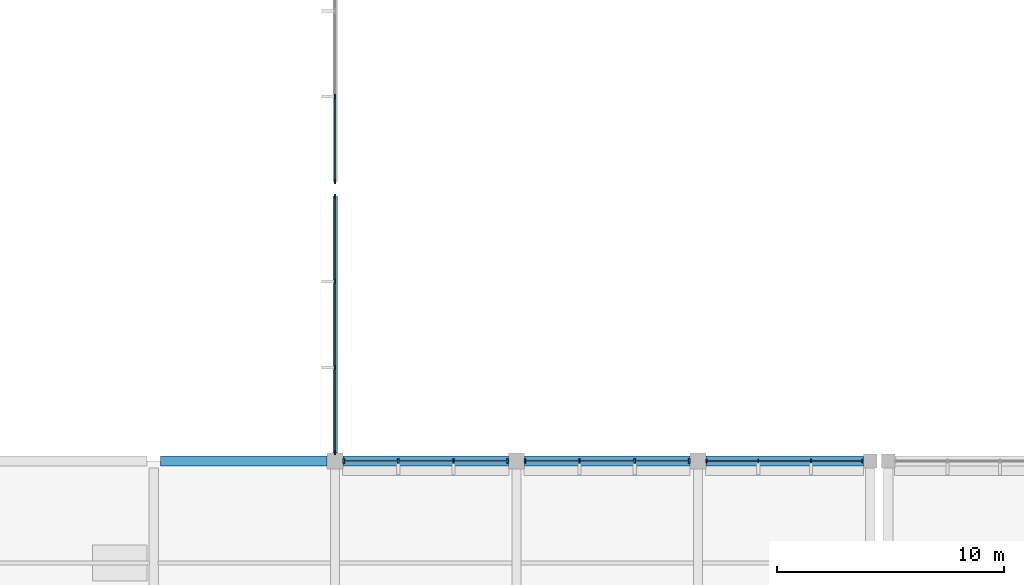
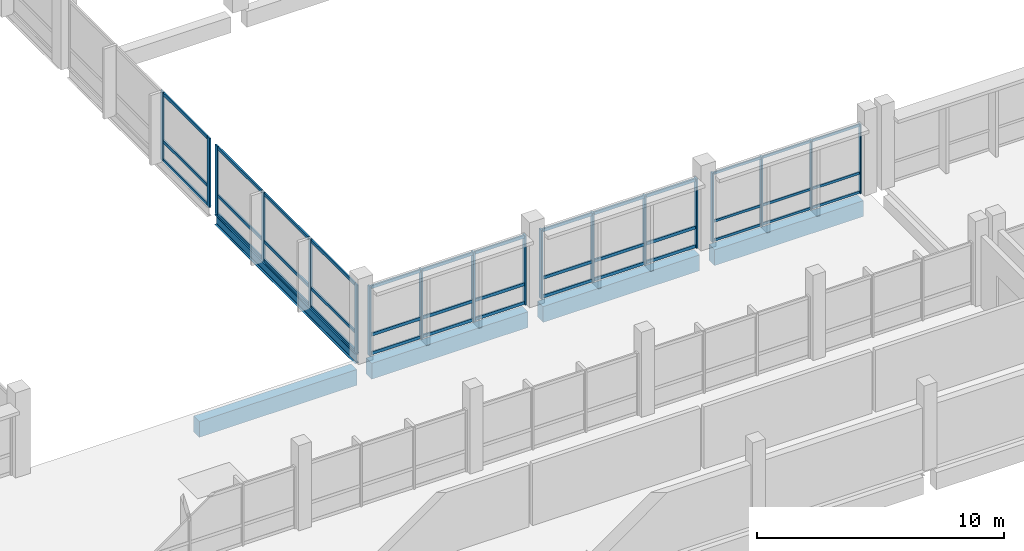
# One storey, part 16 of 70: 57 members, 5 beams, 5 elements without a shape of their own.
"""IFC4 building model written with IfcOpenShell, lengths in metres."""

from ifc_helpers import new_model, si_unit, direction, frame, origin, origin_2d, place, context, subcontext, project, spatial, rectangle, i_section, extrude, material, material_profile, profile_set, type_object, element, aggregate, save


model = new_model("IFC4")

# Units and contexts
model_context = context("Model", 3, precision=1e-05, world=origin(), true_north=direction((0.0, 1.0)))
body_context = subcontext(model_context, "Body", "Model", "MODEL_VIEW")
ifc_project = project(units=[si_unit("LENGTHUNIT", "METRE"), si_unit("AREAUNIT", "SQUARE_METRE"), si_unit("VOLUMEUNIT", "CUBIC_METRE"), si_unit("PLANEANGLEUNIT", "RADIAN"), si_unit("MASSUNIT", "GRAM", prefix="KILO"), si_unit("THERMODYNAMICTEMPERATUREUNIT", "KELVIN"), si_unit("POWERUNIT", "WATT")], contexts=[model_context])

# Site, building, storey
site_placement = place(None, origin())
site = spatial("IfcSite", under=ifc_project, at=site_placement, CompositionType="ELEMENT")
building_placement = place(site_placement, origin())
building = spatial("IfcBuilding", under=site, at=building_placement, Name="Kronsvod Quay Wholesale Market", CompositionType="ELEMENT")
storey_placement = place(building_placement, frame((0.0, 0.0, 9.0)))
storey = spatial("IfcBuildingStorey", under=building, at=storey_placement, Name="L02", CompositionType="ELEMENT", Elevation=9.0)

# Beams
ifc_material_1 = material(Name="Precast concrete C40/50", Category="concrete")
ifc_material_profile_1 = material_profile(ifc_material_1, rectangle(XDim=0.4599609375, YDim=0.780029296875, at=origin_2d()), Name="PB-03")
ifc_profile_set_1 = profile_set([ifc_material_profile_1], Name="Precast concrete C40/50")
beam_type_1 = type_object("IfcBeamType", Name="Beam_PCB460x780", PredefinedType="BEAM", material=ifc_profile_set_1)
beam_1_placement = place(storey_placement, frame((96.300048828125, 54.0, -0.699951171875), z_axis=(1.0, 0.0, 0.0), x_axis=(0.0, 1.0, 0.0)))
element("IfcBeam", 1, at=beam_1_placement, inside=storey, type_object=beam_type_1, Name="BMX-L02-960-540", PredefinedType="BEAM", context=body_context, shape_type="SweptSolid", body=[
    extrude(rectangle(XDim=0.4599609375, YDim=0.780029296875, at=origin_2d()), origin(), (0.0, 0.0, 1.0), 7.349853515625),
])
for number, where, z_axis, x_axis, name in (
    (2, (104.35009765625, 54.0, -0.64990234375), (1.0, 0.0, 0.0), (0.0, 1.0, 0.0), "BMX-L02-1040-540"),
    (3, (112.35009765625, 54.0, -0.64990234375), (1.0, 0.0, 0.0), (0.0, 1.0, 0.0), "BMX-L02-1120-540"),
):
    element("IfcBeam", number, at=place(storey_placement, frame(where, z_axis=z_axis, x_axis=x_axis)), inside=storey, type_object=beam_type_1, Name=name, PredefinedType="BEAM", context=body_context, shape_type="SweptSolid", body=[
        extrude(rectangle(XDim=0.4599609375, YDim=0.780029296875, at=origin_2d()), origin(), (0.0, 0.0, 1.0), 7.2998046875),
    ])
beam_2_placement = place(storey_placement, frame((120.35009765625, 54.0, -0.64990234375), z_axis=(1.0, 0.0, 0.0), x_axis=(0.0, 1.0, 0.0)))
element("IfcBeam", 4, at=beam_2_placement, inside=storey, type_object=beam_type_1, Name="BMX-L02-1200-540", PredefinedType="BEAM", context=body_context, shape_type="SweptSolid", body=[
    extrude(rectangle(XDim=0.4599609375, YDim=0.780029296875, at=origin_2d()), origin(), (0.0, 0.0, 1.0), 6.949951171875),
])
ifc_material_2 = material(Name="Steel S355", Category="steel")
ifc_material_profile_2 = material_profile(ifc_material_2, i_section(OverallWidth=0.198974609375, OverallDepth=0.49609375, WebThickness=0.009033203125, FlangeThickness=0.013916015625, FilletRadius=0.02001953125, at=origin_2d()), Name="50B1")
ifc_profile_set_2 = profile_set([ifc_material_profile_2], Name="Steel S355")
beam_type_2 = type_object("IfcBeamType", Name="Girder_Steel50B1", PredefinedType="T_BEAM", material=ifc_profile_set_2)
beam_3_placement = place(storey_placement, frame((104.0, 54.35009765625, -0.22802734375), z_axis=(0.0, 1.0, 0.0), x_axis=(-1.0, 0.0, 0.0)))
element("IfcBeam", 5, at=beam_3_placement, inside=storey, type_object=beam_type_2, Name="BMY-L02-1040-540", PredefinedType="T_BEAM", context=body_context, shape_type="SweptSolid", body=[
    extrude(i_section(OverallWidth=0.198974609375, OverallDepth=0.49609375, WebThickness=0.009033203125, FlangeThickness=0.013916015625, FilletRadius=0.02001953125, at=origin_2d()), origin(), (0.0, 0.0, 1.0), 11.349853515625),
])

# Curtain wall, members
ifc_material_3 = material(Name="Thermally broken aluminium and triple low-E glazing", Category="aluminium")
curtain_wall_type_1 = type_object("IfcCurtainWallType", Name="CW_Clerestory80x32", PredefinedType="NOTDEFINED", material=ifc_material_3)
curtain_wall_1_placement = place(storey_placement, origin())
curtain_wall_1 = element("IfcCurtainWall", 6, at=curtain_wall_1_placement, inside=storey, type_object=curtain_wall_type_1, Name="CWGX-L02-1200-540", PredefinedType="NOTDEFINED")
ifc_material_4 = material(Name="Anodised aluminium", Category="aluminium")
ifc_material_profile_3 = material_profile(ifc_material_4, rectangle(XDim=0.06494140625, YDim=0.159912109375, at=origin_2d()), Name="ALUM65x160")
ifc_profile_set_3 = profile_set([ifc_material_profile_3], Name="Anodised aluminium")
member_type_1 = type_object("IfcMemberType", Name="Mullion_ALU65x160", PredefinedType="MULLION", material=ifc_profile_set_3)
member_1_placement = place(storey_placement, frame((120.37744140625, 54.0, 0.0), z_axis=(0.0, 0.0, 1.0), x_axis=(1.0, 0.0, 0.0)))
member_1 = element("IfcMember", 7, at=member_1_placement, type_object=member_type_1, Name="CWGX-L02-1200-540-M1", PredefinedType="MULLION", context=body_context, shape_type="SweptSolid", body=[
    extrude(rectangle(XDim=0.06494140625, YDim=0.159912109375, at=origin_2d()), origin(), (0.0, 0.0, 1.0), 3.419921875),
])
member_2_placement = place(storey_placement, frame((122.6650390625, 54.0, 0.0), z_axis=(0.0, 0.0, 1.0), x_axis=(1.0, 0.0, 0.0)))
member_2 = element("IfcMember", 8, at=member_2_placement, type_object=member_type_1, Name="CWGX-L02-1200-540-M2", PredefinedType="MULLION", context=body_context, shape_type="SweptSolid", body=[
    extrude(rectangle(XDim=0.06494140625, YDim=0.159912109375, at=origin_2d()), origin(), (0.0, 0.0, 1.0), 3.419921875),
])
member_3_placement = place(storey_placement, frame((124.985107421875, 54.0, 0.0), z_axis=(0.0, 0.0, 1.0), x_axis=(1.0, 0.0, 0.0)))
member_3 = element("IfcMember", 9, at=member_3_placement, type_object=member_type_1, Name="CWGX-L02-1200-540-M3", PredefinedType="MULLION", context=body_context, shape_type="SweptSolid", body=[
    extrude(rectangle(XDim=0.06494140625, YDim=0.159912109375, at=origin_2d()), origin(), (0.0, 0.0, 1.0), 3.419921875),
])
member_4_placement = place(storey_placement, frame((127.2724609375, 54.0, 0.0), z_axis=(0.0, 0.0, 1.0), x_axis=(1.0, 0.0, 0.0)))
member_4 = element("IfcMember", 10, at=member_4_placement, type_object=member_type_1, Name="CWGX-L02-1200-540-M4", PredefinedType="MULLION", context=body_context, shape_type="SweptSolid", body=[
    extrude(rectangle(XDim=0.06494140625, YDim=0.159912109375, at=origin_2d()), origin(), (0.0, 0.0, 1.0), 3.419921875),
])

curtain_wall_2_placement = place(storey_placement, origin())
curtain_wall_2 = element("IfcCurtainWall", 11, at=curtain_wall_2_placement, inside=storey, type_object=curtain_wall_type_1, Name="CWGX-L02-1040-540", PredefinedType="NOTDEFINED")
ifc_material_5 = material(Name="Anodised aluminium", Category="aluminium")
ifc_material_profile_4 = material_profile(ifc_material_5, rectangle(XDim=0.074951171875, YDim=0.199951171875, at=origin_2d()), Name="ALUM75x200")
ifc_profile_set_4 = profile_set([ifc_material_profile_4], Name="Anodised aluminium")
member_type_2 = type_object("IfcMemberType", Name="Mullion_ALU75x200", PredefinedType="MULLION", material=ifc_profile_set_4)
member_5_placement = place(storey_placement, frame((104.382568359375, 54.0, 0.0), z_axis=(0.0, 0.0, 1.0), x_axis=(1.0, 0.0, 0.0)))
member_5 = element("IfcMember", 12, at=member_5_placement, type_object=member_type_2, Name="CWGX-L02-1040-540-M1", PredefinedType="MULLION", context=body_context, shape_type="SweptSolid", body=[
    extrude(rectangle(XDim=0.074951171875, YDim=0.199951171875, at=origin_2d()), origin(), (0.0, 0.0, 1.0), 3.419921875),
])
member_6_placement = place(storey_placement, frame((106.78173828125, 54.0, 0.0), z_axis=(0.0, 0.0, 1.0), x_axis=(1.0, 0.0, 0.0)))
member_6 = element("IfcMember", 13, at=member_6_placement, type_object=member_type_2, Name="CWGX-L02-1040-540-M2", PredefinedType="MULLION", context=body_context, shape_type="SweptSolid", body=[
    extrude(rectangle(XDim=0.074951171875, YDim=0.199951171875, at=origin_2d()), origin(), (0.0, 0.0, 1.0), 3.419921875),
])
member_7_placement = place(storey_placement, frame((109.21826171875, 54.0, 0.0), z_axis=(0.0, 0.0, 1.0), x_axis=(1.0, 0.0, 0.0)))
member_7 = element("IfcMember", 14, at=member_7_placement, type_object=member_type_2, Name="CWGX-L02-1040-540-M3", PredefinedType="MULLION", context=body_context, shape_type="SweptSolid", body=[
    extrude(rectangle(XDim=0.074951171875, YDim=0.199951171875, at=origin_2d()), origin(), (0.0, 0.0, 1.0), 3.419921875),
])
member_8_placement = place(storey_placement, frame((111.617431640625, 54.0, 0.0), z_axis=(0.0, 0.0, 1.0), x_axis=(1.0, 0.0, 0.0)))
member_8 = element("IfcMember", 15, at=member_8_placement, type_object=member_type_2, Name="CWGX-L02-1040-540-M4", PredefinedType="MULLION", context=body_context, shape_type="SweptSolid", body=[
    extrude(rectangle(XDim=0.074951171875, YDim=0.199951171875, at=origin_2d()), origin(), (0.0, 0.0, 1.0), 3.419921875),
])

curtain_wall_3_placement = place(storey_placement, origin())
curtain_wall_3 = element("IfcCurtainWall", 16, at=curtain_wall_3_placement, inside=storey, type_object=curtain_wall_type_1, Name="CWGX-L02-1120-540", PredefinedType="NOTDEFINED")
member_9_placement = place(storey_placement, frame((112.382568359375, 54.0, 0.0), z_axis=(0.0, 0.0, 1.0), x_axis=(1.0, 0.0, 0.0)))
member_9 = element("IfcMember", 17, at=member_9_placement, type_object=member_type_2, Name="CWGX-L02-1120-540-M1", PredefinedType="MULLION", context=body_context, shape_type="SweptSolid", body=[
    extrude(rectangle(XDim=0.074951171875, YDim=0.199951171875, at=origin_2d()), origin(), (0.0, 0.0, 1.0), 3.419921875),
])
member_10_placement = place(storey_placement, frame((114.78173828125, 54.0, 0.0), z_axis=(0.0, 0.0, 1.0), x_axis=(1.0, 0.0, 0.0)))
member_10 = element("IfcMember", 18, at=member_10_placement, type_object=member_type_2, Name="CWGX-L02-1120-540-M2", PredefinedType="MULLION", context=body_context, shape_type="SweptSolid", body=[
    extrude(rectangle(XDim=0.074951171875, YDim=0.199951171875, at=origin_2d()), origin(), (0.0, 0.0, 1.0), 3.419921875),
])
member_11_placement = place(storey_placement, frame((117.21826171875, 54.0, 0.0), z_axis=(0.0, 0.0, 1.0), x_axis=(1.0, 0.0, 0.0)))
member_11 = element("IfcMember", 19, at=member_11_placement, type_object=member_type_2, Name="CWGX-L02-1120-540-M3", PredefinedType="MULLION", context=body_context, shape_type="SweptSolid", body=[
    extrude(rectangle(XDim=0.074951171875, YDim=0.199951171875, at=origin_2d()), origin(), (0.0, 0.0, 1.0), 3.419921875),
])
member_12_placement = place(storey_placement, frame((119.617431640625, 54.0, 0.0), z_axis=(0.0, 0.0, 1.0), x_axis=(1.0, 0.0, 0.0)))
member_12 = element("IfcMember", 20, at=member_12_placement, type_object=member_type_2, Name="CWGX-L02-1120-540-M4", PredefinedType="MULLION", context=body_context, shape_type="SweptSolid", body=[
    extrude(rectangle(XDim=0.074951171875, YDim=0.199951171875, at=origin_2d()), origin(), (0.0, 0.0, 1.0), 3.419921875),
])

ifc_material_6 = material(Name="Thermally broken aluminium and triple low-E glazing", Category="aluminium")
curtain_wall_type_2 = type_object("IfcCurtainWallType", Name="CW_Court120x35", PredefinedType="NOTDEFINED", material=ifc_material_6)
curtain_wall_4_placement = place(storey_placement, origin())
curtain_wall_4 = element("IfcCurtainWall", 21, at=curtain_wall_4_placement, inside=storey, type_object=curtain_wall_type_2, Name="CWGY-L02-1040-540", PredefinedType="NOTDEFINED")
member_13_placement = place(storey_placement, frame((104.0, 65.66748046875, 0.0), z_axis=(0.0, 0.0, 1.0), x_axis=(1.0, 0.0, 0.0)))
member_13 = element("IfcMember", 22, at=member_13_placement, type_object=member_type_2, Name="CWGY-L02-1040-540-M1", PredefinedType="MULLION", context=body_context, shape_type="SweptSolid", body=[
    extrude(rectangle(XDim=0.074951171875, YDim=0.199951171875, at=origin_2d()), origin(), (0.0, 0.0, 1.0), 3.419921875),
])
member_14_placement = place(storey_placement, frame((104.0, 61.918212890625, 0.0), z_axis=(0.0, 0.0, 1.0), x_axis=(1.0, 0.0, 0.0)))
member_14 = element("IfcMember", 23, at=member_14_placement, type_object=member_type_2, Name="CWGY-L02-1040-540-M2", PredefinedType="MULLION", context=body_context, shape_type="SweptSolid", body=[
    extrude(rectangle(XDim=0.074951171875, YDim=0.199951171875, at=origin_2d()), origin(), (0.0, 0.0, 1.0), 3.419921875),
])
member_15_placement = place(storey_placement, frame((104.0, 58.131591796875, 0.0), z_axis=(0.0, 0.0, 1.0), x_axis=(1.0, 0.0, 0.0)))
member_15 = element("IfcMember", 24, at=member_15_placement, type_object=member_type_2, Name="CWGY-L02-1040-540-M3", PredefinedType="MULLION", context=body_context, shape_type="SweptSolid", body=[
    extrude(rectangle(XDim=0.074951171875, YDim=0.199951171875, at=origin_2d()), origin(), (0.0, 0.0, 1.0), 3.419921875),
])
member_16_placement = place(storey_placement, frame((104.0, 54.382568359375, 0.0), z_axis=(0.0, 0.0, 1.0), x_axis=(1.0, 0.0, 0.0)))
member_16 = element("IfcMember", 25, at=member_16_placement, type_object=member_type_2, Name="CWGY-L02-1040-540-M4", PredefinedType="MULLION", context=body_context, shape_type="SweptSolid", body=[
    extrude(rectangle(XDim=0.074951171875, YDim=0.199951171875, at=origin_2d()), origin(), (0.0, 0.0, 1.0), 3.419921875),
])

curtain_wall_5_placement = place(storey_placement, origin())
curtain_wall_5 = element("IfcCurtainWall", 26, at=curtain_wall_5_placement, inside=storey, type_object=curtain_wall_type_2, Name="CWGY-L02-1040-660", PredefinedType="NOTDEFINED")
member_17_placement = place(storey_placement, frame((104.0, 70.0732421875, 0.0), z_axis=(0.0, 0.0, 1.0), x_axis=(1.0, 0.0, 0.0)))
member_17 = element("IfcMember", 27, at=member_17_placement, type_object=member_type_2, Name="CWGY-L02-1040-660-M3", PredefinedType="MULLION", context=body_context, shape_type="SweptSolid", body=[
    extrude(rectangle(XDim=0.074951171875, YDim=0.199951171875, at=origin_2d()), origin(), (0.0, 0.0, 1.0), 3.419921875),
])
member_18_placement = place(storey_placement, frame((104.0, 66.33251953125, 0.0), z_axis=(0.0, 0.0, 1.0), x_axis=(1.0, 0.0, 0.0)))
member_18 = element("IfcMember", 28, at=member_18_placement, type_object=member_type_2, Name="CWGY-L02-1040-660-M4", PredefinedType="MULLION", context=body_context, shape_type="SweptSolid", body=[
    extrude(rectangle(XDim=0.074951171875, YDim=0.199951171875, at=origin_2d()), origin(), (0.0, 0.0, 1.0), 3.419921875),
])

# Member
ifc_material_7 = material(Name="Anodised aluminium", Category="aluminium")
ifc_material_profile_5 = material_profile(ifc_material_7, rectangle(XDim=0.06494140625, YDim=0.1201171875, at=origin_2d()), Name="ALUT65x120")
ifc_profile_set_5 = profile_set([ifc_material_profile_5], Name="Anodised aluminium")
member_type_3 = type_object("IfcMemberType", Name="Transom_ALU65x120", PredefinedType="USERDEFINED", material=ifc_profile_set_5)
member_19_placement = place(storey_placement, frame((120.409912109375, 54.0, 0.06005859375), z_axis=(1.0, 0.0, 0.0), x_axis=(0.0, 1.0, 0.0)))
member_19 = element("IfcMember", 29, at=member_19_placement, type_object=member_type_3, Name="CWGX-L02-1200-540-T1B1", ObjectType="TRANSOM", PredefinedType="USERDEFINED", context=body_context, shape_type="SweptSolid", body=[
    extrude(rectangle(XDim=0.06494140625, YDim=0.1201171875, at=origin_2d()), origin(), (0.0, 0.0, 1.0), 2.22265625),
])

member_20_placement = place(storey_placement, frame((122.697509765625, 54.0, 0.06005859375), z_axis=(1.0, 0.0, 0.0), x_axis=(0.0, 1.0, 0.0)))
member_20 = element("IfcMember", 30, at=member_20_placement, type_object=member_type_3, Name="CWGX-L02-1200-540-T1B2", ObjectType="TRANSOM", PredefinedType="USERDEFINED", context=body_context, shape_type="SweptSolid", body=[
    extrude(rectangle(XDim=0.06494140625, YDim=0.1201171875, at=origin_2d()), origin(), (0.0, 0.0, 1.0), 2.2548828125),
])

member_21_placement = place(storey_placement, frame((125.017578125, 54.0, 0.06005859375), z_axis=(1.0, 0.0, 0.0), x_axis=(0.0, 1.0, 0.0)))
member_21 = element("IfcMember", 31, at=member_21_placement, type_object=member_type_3, Name="CWGX-L02-1200-540-T1B3", ObjectType="TRANSOM", PredefinedType="USERDEFINED", context=body_context, shape_type="SweptSolid", body=[
    extrude(rectangle(XDim=0.06494140625, YDim=0.1201171875, at=origin_2d()), origin(), (0.0, 0.0, 1.0), 2.222412109375),
])

member_22_placement = place(storey_placement, frame((120.409912109375, 54.0, 1.0), z_axis=(1.0, 0.0, 0.0), x_axis=(0.0, 1.0, 0.0)))
member_22 = element("IfcMember", 32, at=member_22_placement, type_object=member_type_3, Name="CWGX-L02-1200-540-T2B1", ObjectType="TRANSOM", PredefinedType="USERDEFINED", context=body_context, shape_type="SweptSolid", body=[
    extrude(rectangle(XDim=0.06494140625, YDim=0.1201171875, at=origin_2d()), origin(), (0.0, 0.0, 1.0), 2.22265625),
])

member_23_placement = place(storey_placement, frame((122.697509765625, 54.0, 1.0), z_axis=(1.0, 0.0, 0.0), x_axis=(0.0, 1.0, 0.0)))
member_23 = element("IfcMember", 33, at=member_23_placement, type_object=member_type_3, Name="CWGX-L02-1200-540-T2B2", ObjectType="TRANSOM", PredefinedType="USERDEFINED", context=body_context, shape_type="SweptSolid", body=[
    extrude(rectangle(XDim=0.06494140625, YDim=0.1201171875, at=origin_2d()), origin(), (0.0, 0.0, 1.0), 2.2548828125),
])

member_24_placement = place(storey_placement, frame((125.017578125, 54.0, 1.0), z_axis=(1.0, 0.0, 0.0), x_axis=(0.0, 1.0, 0.0)))
member_24 = element("IfcMember", 34, at=member_24_placement, type_object=member_type_3, Name="CWGX-L02-1200-540-T2B3", ObjectType="TRANSOM", PredefinedType="USERDEFINED", context=body_context, shape_type="SweptSolid", body=[
    extrude(rectangle(XDim=0.06494140625, YDim=0.1201171875, at=origin_2d()), origin(), (0.0, 0.0, 1.0), 2.222412109375),
])

member_25_placement = place(storey_placement, frame((120.409912109375, 54.0, 3.360107421875), z_axis=(1.0, 0.0, 0.0), x_axis=(0.0, 1.0, 0.0)))
member_25 = element("IfcMember", 35, at=member_25_placement, type_object=member_type_3, Name="CWGX-L02-1200-540-T3B1", ObjectType="TRANSOM", PredefinedType="USERDEFINED", context=body_context, shape_type="SweptSolid", body=[
    extrude(rectangle(XDim=0.06494140625, YDim=0.1201171875, at=origin_2d()), origin(), (0.0, 0.0, 1.0), 2.22265625),
])

member_26_placement = place(storey_placement, frame((122.697509765625, 54.0, 3.360107421875), z_axis=(1.0, 0.0, 0.0), x_axis=(0.0, 1.0, 0.0)))
member_26 = element("IfcMember", 36, at=member_26_placement, type_object=member_type_3, Name="CWGX-L02-1200-540-T3B2", ObjectType="TRANSOM", PredefinedType="USERDEFINED", context=body_context, shape_type="SweptSolid", body=[
    extrude(rectangle(XDim=0.06494140625, YDim=0.1201171875, at=origin_2d()), origin(), (0.0, 0.0, 1.0), 2.2548828125),
])

member_27_placement = place(storey_placement, frame((125.017578125, 54.0, 3.360107421875), z_axis=(1.0, 0.0, 0.0), x_axis=(0.0, 1.0, 0.0)))
member_27 = element("IfcMember", 37, at=member_27_placement, type_object=member_type_3, Name="CWGX-L02-1200-540-T3B3", ObjectType="TRANSOM", PredefinedType="USERDEFINED", context=body_context, shape_type="SweptSolid", body=[
    extrude(rectangle(XDim=0.06494140625, YDim=0.1201171875, at=origin_2d()), origin(), (0.0, 0.0, 1.0), 2.222412109375),
])

aggregate(curtain_wall_1, [member_1, member_2, member_3, member_4, member_19, member_20, member_21, member_22, member_23, member_24, member_25, member_26, member_27])

ifc_material_8 = material(Name="Anodised aluminium", Category="aluminium")
ifc_material_profile_6 = material_profile(ifc_material_8, rectangle(XDim=0.074951171875, YDim=0.14990234375, at=origin_2d()), Name="ALUT75x150")
ifc_profile_set_6 = profile_set([ifc_material_profile_6], Name="Anodised aluminium")
member_type_4 = type_object("IfcMemberType", Name="Transom_ALU75x150", PredefinedType="USERDEFINED", material=ifc_profile_set_6)
member_28_placement = place(storey_placement, frame((104.419921875, 54.0, 0.074951171875), z_axis=(1.0, 0.0, 0.0), x_axis=(0.0, 1.0, 0.0)))
member_28 = element("IfcMember", 38, at=member_28_placement, type_object=member_type_4, Name="CWGX-L02-1040-540-T1B1", ObjectType="TRANSOM", PredefinedType="USERDEFINED", context=body_context, shape_type="SweptSolid", body=[
    extrude(rectangle(XDim=0.074951171875, YDim=0.14990234375, at=origin_2d()), origin(), (0.0, 0.0, 1.0), 2.32421875),
])

member_29_placement = place(storey_placement, frame((106.819091796875, 54.0, 0.074951171875), z_axis=(1.0, 0.0, 0.0), x_axis=(0.0, 1.0, 0.0)))
member_29 = element("IfcMember", 39, at=member_29_placement, type_object=member_type_4, Name="CWGX-L02-1040-540-T1B2", ObjectType="TRANSOM", PredefinedType="USERDEFINED", context=body_context, shape_type="SweptSolid", body=[
    extrude(rectangle(XDim=0.074951171875, YDim=0.14990234375, at=origin_2d()), origin(), (0.0, 0.0, 1.0), 2.36181640625),
])

member_30_placement = place(storey_placement, frame((109.255859375, 54.0, 0.074951171875), z_axis=(1.0, 0.0, 0.0), x_axis=(0.0, 1.0, 0.0)))
member_30 = element("IfcMember", 40, at=member_30_placement, type_object=member_type_4, Name="CWGX-L02-1040-540-T1B3", ObjectType="TRANSOM", PredefinedType="USERDEFINED", context=body_context, shape_type="SweptSolid", body=[
    extrude(rectangle(XDim=0.074951171875, YDim=0.14990234375, at=origin_2d()), origin(), (0.0, 0.0, 1.0), 2.32421875),
])

member_31_placement = place(storey_placement, frame((104.419921875, 54.0, 1.0), z_axis=(1.0, 0.0, 0.0), x_axis=(0.0, 1.0, 0.0)))
member_31 = element("IfcMember", 41, at=member_31_placement, type_object=member_type_4, Name="CWGX-L02-1040-540-T2B1", ObjectType="TRANSOM", PredefinedType="USERDEFINED", context=body_context, shape_type="SweptSolid", body=[
    extrude(rectangle(XDim=0.074951171875, YDim=0.14990234375, at=origin_2d()), origin(), (0.0, 0.0, 1.0), 2.32421875),
])

member_32_placement = place(storey_placement, frame((106.819091796875, 54.0, 1.0), z_axis=(1.0, 0.0, 0.0), x_axis=(0.0, 1.0, 0.0)))
member_32 = element("IfcMember", 42, at=member_32_placement, type_object=member_type_4, Name="CWGX-L02-1040-540-T2B2", ObjectType="TRANSOM", PredefinedType="USERDEFINED", context=body_context, shape_type="SweptSolid", body=[
    extrude(rectangle(XDim=0.074951171875, YDim=0.14990234375, at=origin_2d()), origin(), (0.0, 0.0, 1.0), 2.36181640625),
])

member_33_placement = place(storey_placement, frame((109.255859375, 54.0, 1.0), z_axis=(1.0, 0.0, 0.0), x_axis=(0.0, 1.0, 0.0)))
member_33 = element("IfcMember", 43, at=member_33_placement, type_object=member_type_4, Name="CWGX-L02-1040-540-T2B3", ObjectType="TRANSOM", PredefinedType="USERDEFINED", context=body_context, shape_type="SweptSolid", body=[
    extrude(rectangle(XDim=0.074951171875, YDim=0.14990234375, at=origin_2d()), origin(), (0.0, 0.0, 1.0), 2.32421875),
])

member_34_placement = place(storey_placement, frame((104.419921875, 54.0, 3.344970703125), z_axis=(1.0, 0.0, 0.0), x_axis=(0.0, 1.0, 0.0)))
member_34 = element("IfcMember", 44, at=member_34_placement, type_object=member_type_4, Name="CWGX-L02-1040-540-T3B1", ObjectType="TRANSOM", PredefinedType="USERDEFINED", context=body_context, shape_type="SweptSolid", body=[
    extrude(rectangle(XDim=0.074951171875, YDim=0.14990234375, at=origin_2d()), origin(), (0.0, 0.0, 1.0), 2.32421875),
])

member_35_placement = place(storey_placement, frame((106.819091796875, 54.0, 3.344970703125), z_axis=(1.0, 0.0, 0.0), x_axis=(0.0, 1.0, 0.0)))
member_35 = element("IfcMember", 45, at=member_35_placement, type_object=member_type_4, Name="CWGX-L02-1040-540-T3B2", ObjectType="TRANSOM", PredefinedType="USERDEFINED", context=body_context, shape_type="SweptSolid", body=[
    extrude(rectangle(XDim=0.074951171875, YDim=0.14990234375, at=origin_2d()), origin(), (0.0, 0.0, 1.0), 2.36181640625),
])

member_36_placement = place(storey_placement, frame((109.255859375, 54.0, 3.344970703125), z_axis=(1.0, 0.0, 0.0), x_axis=(0.0, 1.0, 0.0)))
member_36 = element("IfcMember", 46, at=member_36_placement, type_object=member_type_4, Name="CWGX-L02-1040-540-T3B3", ObjectType="TRANSOM", PredefinedType="USERDEFINED", context=body_context, shape_type="SweptSolid", body=[
    extrude(rectangle(XDim=0.074951171875, YDim=0.14990234375, at=origin_2d()), origin(), (0.0, 0.0, 1.0), 2.32421875),
])

aggregate(curtain_wall_2, [member_5, member_6, member_7, member_8, member_28, member_29, member_30, member_31, member_32, member_33, member_34, member_35, member_36])

member_37_placement = place(storey_placement, frame((112.419921875, 54.0, 0.074951171875), z_axis=(1.0, 0.0, 0.0), x_axis=(0.0, 1.0, 0.0)))
member_37 = element("IfcMember", 47, at=member_37_placement, type_object=member_type_4, Name="CWGX-L02-1120-540-T1B1", ObjectType="TRANSOM", PredefinedType="USERDEFINED", context=body_context, shape_type="SweptSolid", body=[
    extrude(rectangle(XDim=0.074951171875, YDim=0.14990234375, at=origin_2d()), origin(), (0.0, 0.0, 1.0), 2.32421875),
])

member_38_placement = place(storey_placement, frame((114.819091796875, 54.0, 0.074951171875), z_axis=(1.0, 0.0, 0.0), x_axis=(0.0, 1.0, 0.0)))
member_38 = element("IfcMember", 48, at=member_38_placement, type_object=member_type_4, Name="CWGX-L02-1120-540-T1B2", ObjectType="TRANSOM", PredefinedType="USERDEFINED", context=body_context, shape_type="SweptSolid", body=[
    extrude(rectangle(XDim=0.074951171875, YDim=0.14990234375, at=origin_2d()), origin(), (0.0, 0.0, 1.0), 2.36181640625),
])

member_39_placement = place(storey_placement, frame((117.255859375, 54.0, 0.074951171875), z_axis=(1.0, 0.0, 0.0), x_axis=(0.0, 1.0, 0.0)))
member_39 = element("IfcMember", 49, at=member_39_placement, type_object=member_type_4, Name="CWGX-L02-1120-540-T1B3", ObjectType="TRANSOM", PredefinedType="USERDEFINED", context=body_context, shape_type="SweptSolid", body=[
    extrude(rectangle(XDim=0.074951171875, YDim=0.14990234375, at=origin_2d()), origin(), (0.0, 0.0, 1.0), 2.32421875),
])

member_40_placement = place(storey_placement, frame((112.419921875, 54.0, 1.0), z_axis=(1.0, 0.0, 0.0), x_axis=(0.0, 1.0, 0.0)))
member_40 = element("IfcMember", 50, at=member_40_placement, type_object=member_type_4, Name="CWGX-L02-1120-540-T2B1", ObjectType="TRANSOM", PredefinedType="USERDEFINED", context=body_context, shape_type="SweptSolid", body=[
    extrude(rectangle(XDim=0.074951171875, YDim=0.14990234375, at=origin_2d()), origin(), (0.0, 0.0, 1.0), 2.32421875),
])

member_41_placement = place(storey_placement, frame((114.819091796875, 54.0, 1.0), z_axis=(1.0, 0.0, 0.0), x_axis=(0.0, 1.0, 0.0)))
member_41 = element("IfcMember", 51, at=member_41_placement, type_object=member_type_4, Name="CWGX-L02-1120-540-T2B2", ObjectType="TRANSOM", PredefinedType="USERDEFINED", context=body_context, shape_type="SweptSolid", body=[
    extrude(rectangle(XDim=0.074951171875, YDim=0.14990234375, at=origin_2d()), origin(), (0.0, 0.0, 1.0), 2.36181640625),
])

member_42_placement = place(storey_placement, frame((117.255859375, 54.0, 1.0), z_axis=(1.0, 0.0, 0.0), x_axis=(0.0, 1.0, 0.0)))
member_42 = element("IfcMember", 52, at=member_42_placement, type_object=member_type_4, Name="CWGX-L02-1120-540-T2B3", ObjectType="TRANSOM", PredefinedType="USERDEFINED", context=body_context, shape_type="SweptSolid", body=[
    extrude(rectangle(XDim=0.074951171875, YDim=0.14990234375, at=origin_2d()), origin(), (0.0, 0.0, 1.0), 2.32421875),
])

member_43_placement = place(storey_placement, frame((112.419921875, 54.0, 3.344970703125), z_axis=(1.0, 0.0, 0.0), x_axis=(0.0, 1.0, 0.0)))
member_43 = element("IfcMember", 53, at=member_43_placement, type_object=member_type_4, Name="CWGX-L02-1120-540-T3B1", ObjectType="TRANSOM", PredefinedType="USERDEFINED", context=body_context, shape_type="SweptSolid", body=[
    extrude(rectangle(XDim=0.074951171875, YDim=0.14990234375, at=origin_2d()), origin(), (0.0, 0.0, 1.0), 2.32421875),
])

member_44_placement = place(storey_placement, frame((114.819091796875, 54.0, 3.344970703125), z_axis=(1.0, 0.0, 0.0), x_axis=(0.0, 1.0, 0.0)))
member_44 = element("IfcMember", 54, at=member_44_placement, type_object=member_type_4, Name="CWGX-L02-1120-540-T3B2", ObjectType="TRANSOM", PredefinedType="USERDEFINED", context=body_context, shape_type="SweptSolid", body=[
    extrude(rectangle(XDim=0.074951171875, YDim=0.14990234375, at=origin_2d()), origin(), (0.0, 0.0, 1.0), 2.36181640625),
])

member_45_placement = place(storey_placement, frame((117.255859375, 54.0, 3.344970703125), z_axis=(1.0, 0.0, 0.0), x_axis=(0.0, 1.0, 0.0)))
member_45 = element("IfcMember", 55, at=member_45_placement, type_object=member_type_4, Name="CWGX-L02-1120-540-T3B3", ObjectType="TRANSOM", PredefinedType="USERDEFINED", context=body_context, shape_type="SweptSolid", body=[
    extrude(rectangle(XDim=0.074951171875, YDim=0.14990234375, at=origin_2d()), origin(), (0.0, 0.0, 1.0), 2.32421875),
])

aggregate(curtain_wall_3, [member_9, member_10, member_11, member_12, member_37, member_38, member_39, member_40, member_41, member_42, member_43, member_44, member_45])

member_46_placement = place(storey_placement, frame((104.0, 65.6298828125, 0.074951171875), z_axis=(0.0, -1.0, 0.0), x_axis=(1.0, 0.0, 0.0)))
member_46 = element("IfcMember", 56, at=member_46_placement, type_object=member_type_4, Name="CWGY-L02-1040-540-T1B1", ObjectType="TRANSOM", PredefinedType="USERDEFINED", context=body_context, shape_type="SweptSolid", body=[
    extrude(rectangle(XDim=0.074951171875, YDim=0.14990234375, at=origin_2d()), origin(), (0.0, 0.0, 1.0), 3.674072265625),
])

member_47_placement = place(storey_placement, frame((104.0, 61.880859375, 0.074951171875), z_axis=(0.0, -1.0, 0.0), x_axis=(1.0, 0.0, 0.0)))
member_47 = element("IfcMember", 57, at=member_47_placement, type_object=member_type_4, Name="CWGY-L02-1040-540-T1B2", ObjectType="TRANSOM", PredefinedType="USERDEFINED", context=body_context, shape_type="SweptSolid", body=[
    extrude(rectangle(XDim=0.074951171875, YDim=0.14990234375, at=origin_2d()), origin(), (0.0, 0.0, 1.0), 3.711669921875),
])

member_48_placement = place(storey_placement, frame((104.0, 58.09423828125, 0.074951171875), z_axis=(0.0, -1.0, 0.0), x_axis=(1.0, 0.0, 0.0)))
member_48 = element("IfcMember", 58, at=member_48_placement, type_object=member_type_4, Name="CWGY-L02-1040-540-T1B3", ObjectType="TRANSOM", PredefinedType="USERDEFINED", context=body_context, shape_type="SweptSolid", body=[
    extrude(rectangle(XDim=0.074951171875, YDim=0.14990234375, at=origin_2d()), origin(), (0.0, 0.0, 1.0), 3.67431640625),
])

member_49_placement = place(storey_placement, frame((104.0, 65.6298828125, 1.0), z_axis=(0.0, -1.0, 0.0), x_axis=(1.0, 0.0, 0.0)))
member_49 = element("IfcMember", 59, at=member_49_placement, type_object=member_type_4, Name="CWGY-L02-1040-540-T2B1", ObjectType="TRANSOM", PredefinedType="USERDEFINED", context=body_context, shape_type="SweptSolid", body=[
    extrude(rectangle(XDim=0.074951171875, YDim=0.14990234375, at=origin_2d()), origin(), (0.0, 0.0, 1.0), 3.674072265625),
])

member_50_placement = place(storey_placement, frame((104.0, 61.880859375, 1.0), z_axis=(0.0, -1.0, 0.0), x_axis=(1.0, 0.0, 0.0)))
member_50 = element("IfcMember", 60, at=member_50_placement, type_object=member_type_4, Name="CWGY-L02-1040-540-T2B2", ObjectType="TRANSOM", PredefinedType="USERDEFINED", context=body_context, shape_type="SweptSolid", body=[
    extrude(rectangle(XDim=0.074951171875, YDim=0.14990234375, at=origin_2d()), origin(), (0.0, 0.0, 1.0), 3.711669921875),
])

member_51_placement = place(storey_placement, frame((104.0, 58.09423828125, 1.0), z_axis=(0.0, -1.0, 0.0), x_axis=(1.0, 0.0, 0.0)))
member_51 = element("IfcMember", 61, at=member_51_placement, type_object=member_type_4, Name="CWGY-L02-1040-540-T2B3", ObjectType="TRANSOM", PredefinedType="USERDEFINED", context=body_context, shape_type="SweptSolid", body=[
    extrude(rectangle(XDim=0.074951171875, YDim=0.14990234375, at=origin_2d()), origin(), (0.0, 0.0, 1.0), 3.67431640625),
])

member_52_placement = place(storey_placement, frame((104.0, 65.6298828125, 3.344970703125), z_axis=(0.0, -1.0, 0.0), x_axis=(1.0, 0.0, 0.0)))
member_52 = element("IfcMember", 62, at=member_52_placement, type_object=member_type_4, Name="CWGY-L02-1040-540-T3B1", ObjectType="TRANSOM", PredefinedType="USERDEFINED", context=body_context, shape_type="SweptSolid", body=[
    extrude(rectangle(XDim=0.074951171875, YDim=0.14990234375, at=origin_2d()), origin(), (0.0, 0.0, 1.0), 3.674072265625),
])

member_53_placement = place(storey_placement, frame((104.0, 61.880859375, 3.344970703125), z_axis=(0.0, -1.0, 0.0), x_axis=(1.0, 0.0, 0.0)))
member_53 = element("IfcMember", 63, at=member_53_placement, type_object=member_type_4, Name="CWGY-L02-1040-540-T3B2", ObjectType="TRANSOM", PredefinedType="USERDEFINED", context=body_context, shape_type="SweptSolid", body=[
    extrude(rectangle(XDim=0.074951171875, YDim=0.14990234375, at=origin_2d()), origin(), (0.0, 0.0, 1.0), 3.711669921875),
])

member_54_placement = place(storey_placement, frame((104.0, 58.09423828125, 3.344970703125), z_axis=(0.0, -1.0, 0.0), x_axis=(1.0, 0.0, 0.0)))
member_54 = element("IfcMember", 64, at=member_54_placement, type_object=member_type_4, Name="CWGY-L02-1040-540-T3B3", ObjectType="TRANSOM", PredefinedType="USERDEFINED", context=body_context, shape_type="SweptSolid", body=[
    extrude(rectangle(XDim=0.074951171875, YDim=0.14990234375, at=origin_2d()), origin(), (0.0, 0.0, 1.0), 3.67431640625),
])

aggregate(curtain_wall_4, [member_13, member_14, member_15, member_16, member_46, member_47, member_48, member_49, member_50, member_51, member_52, member_53, member_54])

member_55_placement = place(storey_placement, frame((104.0, 70.035888671875, 0.074951171875), z_axis=(0.0, -1.0, 0.0), x_axis=(1.0, 0.0, 0.0)))
member_55 = element("IfcMember", 65, at=member_55_placement, type_object=member_type_4, Name="CWGY-L02-1040-660-T1B3", ObjectType="TRANSOM", PredefinedType="USERDEFINED", context=body_context, shape_type="SweptSolid", body=[
    extrude(rectangle(XDim=0.074951171875, YDim=0.14990234375, at=origin_2d()), origin(), (0.0, 0.0, 1.0), 3.665771484375),
])

member_56_placement = place(storey_placement, frame((104.0, 70.035888671875, 1.0), z_axis=(0.0, -1.0, 0.0), x_axis=(1.0, 0.0, 0.0)))
member_56 = element("IfcMember", 66, at=member_56_placement, type_object=member_type_4, Name="CWGY-L02-1040-660-T2B3", ObjectType="TRANSOM", PredefinedType="USERDEFINED", context=body_context, shape_type="SweptSolid", body=[
    extrude(rectangle(XDim=0.074951171875, YDim=0.14990234375, at=origin_2d()), origin(), (0.0, 0.0, 1.0), 3.665771484375),
])

member_57_placement = place(storey_placement, frame((104.0, 70.035888671875, 3.344970703125), z_axis=(0.0, -1.0, 0.0), x_axis=(1.0, 0.0, 0.0)))
member_57 = element("IfcMember", 67, at=member_57_placement, type_object=member_type_4, Name="CWGY-L02-1040-660-T3B3", ObjectType="TRANSOM", PredefinedType="USERDEFINED", context=body_context, shape_type="SweptSolid", body=[
    extrude(rectangle(XDim=0.074951171875, YDim=0.14990234375, at=origin_2d()), origin(), (0.0, 0.0, 1.0), 3.665771484375),
])

aggregate(curtain_wall_5, [member_17, member_18, member_55, member_56, member_57])

save(model, "model.ifc")
